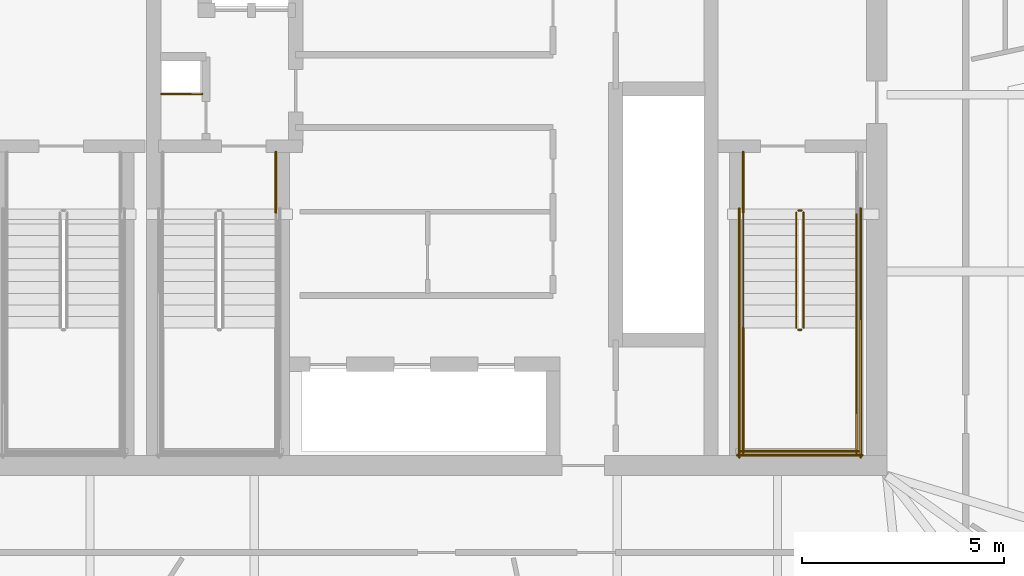
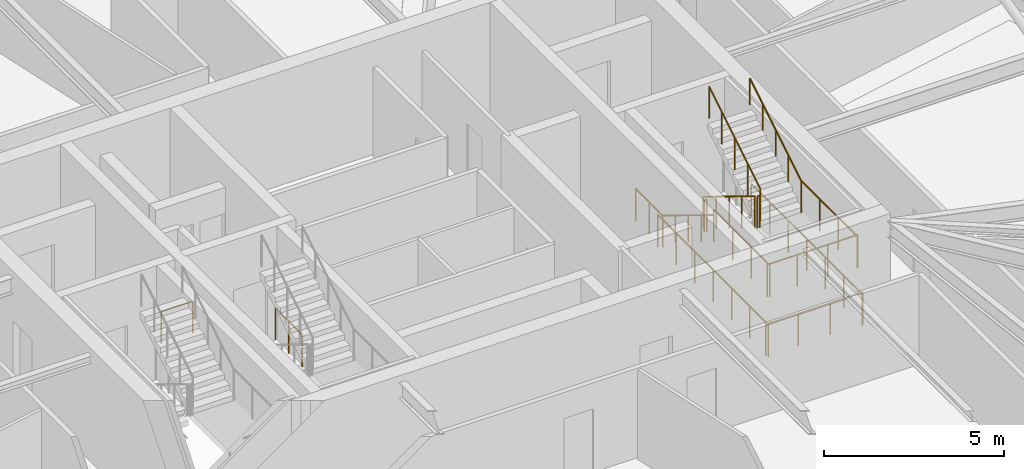
# One storey, part 18 of 19: 15 railings.
"""IFC4 building model written with IfcOpenShell, lengths in metres."""

import ifcopenshell
import ifcopenshell.guid

model = None  # the IFC model being written
_history = None  # IfcOwnerHistory: only IFC2X3 demands one
_inside = {}  # id of a spatial element -> (the spatial element, [elements in it])
_under = {}  # id of a project, library or spatial element -> (it, [spatial elements below it])
_declared = {}  # id of a project -> (the project, [libraries it declares])
_typed = {}  # id of a type object -> (the type object, [elements of that type])
_made_of = {}  # id of a material, layer set ... -> (it, [elements and type objects made of it])


def new_model(schema):
    """Start an empty IFC model of exactly this schema.

    Asked for "IFC4X3", IfcOpenShell would pick the latest addendum, in which some entities
    have other attributes; the version numbers below select the first issue.
    IFC2X3 requires an IfcOwnerHistory on every rooted entity: one is made here for all.
    """
    global model, _history
    if schema == "IFC4X3":
        model = ifcopenshell.file(schema_version=(4, 3, 0, 0))
    else:
        model = ifcopenshell.file(schema=schema)
    _inside.clear()
    _under.clear()
    _declared.clear()
    _typed.clear()
    _made_of.clear()
    _history = None
    if model.schema == "IFC2X3":
        org = make("IfcOrganization", Name="unknown")
        user = make(
            "IfcPersonAndOrganization",
            ThePerson=make("IfcPerson", FamilyName="unknown"),
            TheOrganization=org,
        )
        app = make(
            "IfcApplication",
            ApplicationDeveloper=org,
            Version="unknown",
            ApplicationFullName="unknown",
            ApplicationIdentifier="unknown",
        )
        _history = make(
            "IfcOwnerHistory",
            OwningUser=user,
            OwningApplication=app,
            ChangeAction="ADDED",
            CreationDate=0,
        )
    return model


def make(cls, **values):
    """One entity of the class cls with the attributes given. An attribute that is None is left unset."""
    return model.create_entity(
        cls, **{name: value for name, value in values.items() if value is not None}
    )


def rooted(cls, **values):
    """An entity with a GlobalId (a new one), such as an element, a storey or a relation."""
    return make(cls, GlobalId=ifcopenshell.guid.new(), OwnerHistory=_history, **values)


def si_unit(unit_type, name, prefix=None):
    """IfcSIUnit, for example si_unit("LENGTHUNIT", "METRE", prefix="MILLI")."""
    return make("IfcSIUnit", UnitType=unit_type, Prefix=prefix, Name=name)


def assignment(units):
    """IfcUnitAssignment: the units of a project."""
    return None if units is None else make("IfcUnitAssignment", Units=units)


def point(xyz):
    """IfcCartesianPoint."""
    return None if xyz is None else make("IfcCartesianPoint", Coordinates=xyz)


def direction(xyz):
    """IfcDirection."""
    return None if xyz is None else make("IfcDirection", DirectionRatios=xyz)


def frame(location, z_axis=None, x_axis=None):
    """IfcAxis2Placement3D, a coordinate frame: its origin and axes. An axis left out is left unset."""
    return make(
        "IfcAxis2Placement3D",
        Location=point(location),
        Axis=direction(z_axis),
        RefDirection=direction(x_axis),
    )


def frame_2d(location, x_axis=None):
    """IfcAxis2Placement2D, a coordinate frame in the plane: its origin and x axis."""
    return make(
        "IfcAxis2Placement2D", Location=point(location), RefDirection=direction(x_axis)
    )


def origin():
    """The frame at (0, 0, 0) with its axes left unset."""
    return frame((0.0, 0.0, 0.0))


def origin_2d():
    """The frame at (0, 0) in the plane with its x axis left unset."""
    return frame_2d((0.0, 0.0))


def place(relative_to, where):
    """IfcLocalPlacement: puts the frame where relative to a parent placement (None: the world)."""
    return make(
        "IfcLocalPlacement", PlacementRelTo=relative_to, RelativePlacement=where
    )


def context(
    kind, dimensions, precision=None, world=None, true_north=None, identifier=None
):
    """IfcGeometricRepresentationContext, for example the 3D "Model" context."""
    return make(
        "IfcGeometricRepresentationContext",
        ContextIdentifier=identifier,
        ContextType=kind,
        CoordinateSpaceDimension=dimensions,
        Precision=precision,
        WorldCoordinateSystem=world,
        TrueNorth=true_north,
    )


def subcontext(parent, identifier, kind, view, scale=None):
    """IfcGeometricRepresentationSubContext, for example "Body" below "Model"."""
    return make(
        "IfcGeometricRepresentationSubContext",
        ContextIdentifier=identifier,
        ContextType=kind,
        ParentContext=parent,
        TargetScale=scale,
        TargetView=view,
    )


def project(units=None, contexts=None):
    """IfcProject with its units and contexts."""
    return rooted(
        "IfcProject",
        Name="project",
        RepresentationContexts=contexts,
        UnitsInContext=assignment(units),
    )


def spatial(cls, under=None, at=None, **own):
    """A site, building, storey or space (cls), placed at a placement, below another one or the project."""
    s = rooted(cls, ObjectPlacement=at, **own)
    if under is not None:
        _under.setdefault(under.id(), (under, []))[1].append(s)
    return s


def profile(cls, at=None, kind="AREA", **sizes):
    """A parametric profile (cls). Its sizes go by their IFC names, for example OverallWidth=200.0."""
    return make(cls, ProfileType=kind, Position=at, **sizes)


def circle(**sizes):
    """IfcCircleProfileDef."""
    return profile("IfcCircleProfileDef", **sizes)


def extrude(swept, where, along, depth):
    """IfcExtrudedAreaSolid: the profile swept, set in the frame where, extruded along a direction by depth."""
    return make(
        "IfcExtrudedAreaSolid",
        SweptArea=swept,
        Position=where,
        ExtrudedDirection=direction(along),
        Depth=depth,
    )


def shape(context_of_items, identifier, shape_type, items):
    """IfcShapeRepresentation: the items that make up one representation, for example the "Body"."""
    return make(
        "IfcShapeRepresentation",
        ContextOfItems=context_of_items,
        RepresentationIdentifier=identifier,
        RepresentationType=shape_type,
        Items=items,
    )


def material(Name=None, Category=None):
    """IfcMaterial."""
    return make("IfcMaterial", Name=Name, Category=Category)


def made_of(thing, what):
    """Note that an element or type object is made of a material, layer set ...; save() writes the relation."""
    if what is not None:
        _made_of.setdefault(what.id(), (what, []))[1].append(thing)
    return thing


def type_object(cls, material=None, **own):
    """A type object (cls), such as IfcWallType, which elements share."""
    return made_of(rooted(cls, **own), material)


def element(
    cls,
    number,
    at=None,
    inside=None,
    cuts=None,
    type_object=None,
    material=None,
    context=None,
    identifier="Body",
    shape_type=None,
    held_by="IfcProductDefinitionShape",
    body=None,
    shapes=None,
    **own,
):
    """One element of the class cls, such as IfcWall. Its Tag is "e" and its number.

    at: its placement. inside: the storey or other place that contains it. cuts: it is an
    opening in that element (IfcRelVoidsElement). A single representation is given by context,
    identifier, shape_type and body (its items); several are given by shapes. held_by: the class
    of the entity that holds the representations. save() writes the other relations.
    """
    e = rooted(cls, Tag="e%d" % number, ObjectPlacement=at, **own)
    if body is not None:
        shapes = [shape(context, identifier, shape_type, body)]
    if shapes is not None:
        e.Representation = make(held_by, Representations=shapes)
    if inside is not None:
        _inside.setdefault(inside.id(), (inside, []))[1].append(e)
    if cuts is not None:
        rooted(
            "IfcRelVoidsElement", RelatingBuildingElement=cuts, RelatedOpeningElement=e
        )
    if type_object is not None:
        _typed.setdefault(type_object.id(), (type_object, []))[1].append(e)
    return made_of(e, material)


def aggregate(whole, parts):
    """IfcRelAggregates: a whole, such as a stair, and the parts it consists of."""
    return rooted("IfcRelAggregates", RelatingObject=whole, RelatedObjects=parts)


def save(model, path):
    """Write the relations noted so far, then the file.

    IfcRelAggregates (storeys below a building ...), IfcRelContainedInSpatialStructure (elements
    in a storey), IfcRelDefinesByType, IfcRelAssociatesMaterial and IfcRelDeclares: one each for
    every whole, place, type object, material and project.
    """
    for whole, parts in _under.values():
        aggregate(whole, parts)
    for where, things in _inside.values():
        rooted(
            "IfcRelContainedInSpatialStructure",
            RelatedElements=things,
            RelatingStructure=where,
        )
    for kind, things in _typed.values():
        rooted("IfcRelDefinesByType", RelatedObjects=things, RelatingType=kind)
    for what, things in _made_of.values():
        rooted("IfcRelAssociatesMaterial", RelatedObjects=things, RelatingMaterial=what)
    for by, libraries in _declared.values():
        rooted("IfcRelDeclares", RelatingContext=by, RelatedDefinitions=libraries)
    model.write(path)


model = new_model("IFC4")

# Units and contexts
model_context = context("Model", 3, precision=1e-05, world=origin(), true_north=direction((0.0, 1.0)))
body_context = subcontext(model_context, "Body", "Model", "MODEL_VIEW")
ifc_project = project(units=[si_unit("LENGTHUNIT", "METRE"), si_unit("AREAUNIT", "SQUARE_METRE"), si_unit("VOLUMEUNIT", "CUBIC_METRE"), si_unit("PLANEANGLEUNIT", "RADIAN"), si_unit("MASSUNIT", "GRAM", prefix="KILO")], contexts=[model_context])

# Site, building, storey
site_placement = place(None, origin())
site = spatial("IfcSite", under=ifc_project, at=site_placement, CompositionType="ELEMENT")
building_placement = place(site_placement, origin())
building = spatial("IfcBuilding", under=site, at=building_placement, Name="Bramvorn Convention Spire", CompositionType="ELEMENT")
storey_placement = place(building_placement, frame((0.0, 0.0, 217.39990234375)))
storey = spatial("IfcBuildingStorey", under=building, at=storey_placement, Name="L55", CompositionType="ELEMENT", Elevation=217.39990234375)

# Railings
ifc_material_1 = material(Name="Painted Steel Balustrade & Guardrail", Category="steel")
railing_type_1 = type_object("IfcRailingType", Name="RL-STAIR-GUARD-1100", PredefinedType="GUARDRAIL", material=ifc_material_1)
railing_1_placement = place(storey_placement, frame((47.010009765625, 25.050048828125, 0.175048828125)))
element("IfcRailing", 1, at=railing_1_placement, inside=storey, type_object=railing_type_1, Name="L55 ST2 stair guard 1", PredefinedType="GUARDRAIL", context=body_context, shape_type="SweptSolid", body=[
    extrude(circle(Radius=0.02392578125, at=origin_2d()), frame((0.0, 0.0, 1.076171875), z_axis=(0.0, -0.852179220489, 0.52325001306), x_axis=(1.0, 0.0, 0.0)), (0.0, 0.0, 1.0), 3.344482421875),
    extrude(circle(Radius=0.02099609375, at=origin_2d()), origin(), (0.0, 0.0, 1.0), 1.052001953125),
    extrude(circle(Radius=0.02099609375, at=origin_2d()), frame((0.0, -0.71240234375, 0.4375)), (0.0, 0.0, 1.0), 1.052001953125),
    extrude(circle(Radius=0.02099609375, at=origin_2d()), frame((0.0, -1.425048828125, 0.875)), (0.0, 0.0, 1.0), 1.052001953125),
    extrude(circle(Radius=0.02099609375, at=origin_2d()), frame((0.0, -2.1376953125, 1.3125)), (0.0, 0.0, 1.0), 1.052001953125),
    extrude(circle(Radius=0.02099609375, at=origin_2d()), frame((0.0, -2.85009765625, 1.75)), (0.0, 0.0, 1.0), 1.052001953125),
])
railing_2_placement = place(storey_placement, frame((47.06005859375, 22.14990234375, 1.925048828125)))
element("IfcRailing", 2, at=railing_2_placement, inside=storey, type_object=railing_type_1, Name="L55 ST2 stair guard 2", PredefinedType="GUARDRAIL", context=body_context, shape_type="SweptSolid", body=[
    extrude(circle(Radius=0.02392578125, at=origin_2d()), frame((0.0, 0.0, 1.076171875), z_axis=(1.0, 0.0, 0.0), x_axis=(0.0, 1.0, 0.0)), (0.0, 0.0, 1.0), 0.079833984375),
    extrude(circle(Radius=0.02099609375, at=origin_2d()), origin(), (0.0, 0.0, 1.0), 1.052001953125),
    extrude(circle(Radius=0.02099609375, at=origin_2d()), frame((0.079833984375, 0.0, 0.0)), (0.0, 0.0, 1.0), 1.052001953125),
])
for number, where, name in (
    (3, (45.699951171875, 22.199951171875, 1.925048828125), "L55 ST2 stair guard 3"),
    (4, (48.5, 22.199951171875, 1.925048828125), "L55 ST2 stair guard 4"),
):
    element("IfcRailing", number, at=place(storey_placement, frame(where)), inside=storey, type_object=railing_type_1, Name=name, PredefinedType="GUARDRAIL", context=body_context, shape_type="SweptSolid", body=[
        extrude(circle(Radius=0.02392578125, at=origin_2d()), frame((0.0, 0.0, 1.076171875), z_axis=(0.0, -1.0, 0.0), x_axis=(1.0, 0.0, 0.0)), (0.0, 0.0, 1.0), 3.099853515625),
        extrude(circle(Radius=0.02099609375, at=origin_2d()), origin(), (0.0, 0.0, 1.0), 1.052001953125),
        extrude(circle(Radius=0.02099609375, at=origin_2d()), frame((0.0, -1.033203125, 0.0)), (0.0, 0.0, 1.0), 1.052001953125),
        extrude(circle(Radius=0.02099609375, at=origin_2d()), frame((0.0, -2.066650390625, 0.0)), (0.0, 0.0, 1.0), 1.052001953125),
        extrude(circle(Radius=0.02099609375, at=origin_2d()), frame((0.0, -3.099853515625, 0.0)), (0.0, 0.0, 1.0), 1.052001953125),
    ])
railing_3_placement = place(storey_placement, frame((45.64990234375, 19.14990234375, 1.925048828125)))
element("IfcRailing", 5, at=railing_3_placement, inside=storey, type_object=railing_type_1, Name="L55 ST2 stair guard 5", PredefinedType="GUARDRAIL", context=body_context, shape_type="SweptSolid", body=[
    extrude(circle(Radius=0.02392578125, at=origin_2d()), frame((0.0, 0.0, 1.076171875), z_axis=(1.0, 0.0, 0.0), x_axis=(0.0, 1.0, 0.0)), (0.0, 0.0, 1.0), 2.900146484375),
    extrude(circle(Radius=0.02099609375, at=origin_2d()), origin(), (0.0, 0.0, 1.0), 1.052001953125),
    extrude(circle(Radius=0.02099609375, at=origin_2d()), frame((0.966796875, 0.0, 0.0)), (0.0, 0.0, 1.0), 1.052001953125),
    extrude(circle(Radius=0.02099609375, at=origin_2d()), frame((1.933349609375, 0.0, 0.0)), (0.0, 0.0, 1.0), 1.052001953125),
    extrude(circle(Radius=0.02099609375, at=origin_2d()), frame((2.900146484375, 0.0, 0.0)), (0.0, 0.0, 1.0), 1.052001953125),
])
railing_4_placement = place(storey_placement, frame((47.18994140625, 22.199951171875, 2.10009765625)))
element("IfcRailing", 6, at=railing_4_placement, inside=storey, type_object=railing_type_1, Name="L55 ST2 stair guard 6", PredefinedType="GUARDRAIL", context=body_context, shape_type="SweptSolid", body=[
    extrude(circle(Radius=0.02392578125, at=origin_2d()), frame((0.0, 0.0, 1.076171875), z_axis=(0.0, 0.852179220489, 0.52325001306), x_axis=(-1.0, 0.0, 0.0)), (0.0, 0.0, 1.0), 3.344482421875),
    extrude(circle(Radius=0.02099609375, at=origin_2d()), origin(), (0.0, 0.0, 1.0), 1.052001953125),
    extrude(circle(Radius=0.02099609375, at=origin_2d()), frame((0.0, 0.71240234375, 0.4375)), (0.0, 0.0, 1.0), 1.052001953125),
    extrude(circle(Radius=0.02099609375, at=origin_2d()), frame((0.0, 1.425048828125, 0.875)), (0.0, 0.0, 1.0), 1.052001953125),
    extrude(circle(Radius=0.02099609375, at=origin_2d()), frame((0.0, 2.1376953125, 1.3125)), (0.0, 0.0, 1.0), 1.052001953125),
    extrude(circle(Radius=0.02099609375, at=origin_2d()), frame((0.0, 2.85009765625, 1.75)), (0.0, 0.0, 1.0), 1.052001953125),
])
railing_5_placement = place(storey_placement, frame((47.06005859375, 25.10009765625, 0.0)))
element("IfcRailing", 7, at=railing_5_placement, inside=storey, type_object=railing_type_1, Name="L55 ST2 stair guard 7", PredefinedType="GUARDRAIL", context=body_context, shape_type="SweptSolid", body=[
    extrude(circle(Radius=0.02392578125, at=origin_2d()), frame((0.0, 0.0, 1.076171875), z_axis=(1.0, 0.0, 0.0), x_axis=(0.0, 1.0, 0.0)), (0.0, 0.0, 1.0), 0.079833984375),
    extrude(circle(Radius=0.02099609375, at=origin_2d()), origin(), (0.0, 0.0, 1.0), 1.052001953125),
    extrude(circle(Radius=0.02099609375, at=origin_2d()), frame((0.079833984375, 0.0, 0.0)), (0.0, 0.0, 1.0), 1.052001953125),
])
railing_6_placement = place(storey_placement, frame((45.699951171875, 26.550048828125, 0.0)))
element("IfcRailing", 8, at=railing_6_placement, inside=storey, type_object=railing_type_1, Name="L55 ST2 stair guard 8", PredefinedType="GUARDRAIL", context=body_context, shape_type="SweptSolid", body=[
    extrude(circle(Radius=0.02392578125, at=origin_2d()), frame((0.0, 0.0, 1.076171875), z_axis=(0.0, -1.0, 0.0), x_axis=(1.0, 0.0, 0.0)), (0.0, 0.0, 1.0), 1.5),
    extrude(circle(Radius=0.02099609375, at=origin_2d()), origin(), (0.0, 0.0, 1.0), 1.052001953125),
    extrude(circle(Radius=0.02099609375, at=origin_2d()), frame((0.0, -0.75, 0.0)), (0.0, 0.0, 1.0), 1.052001953125),
    extrude(circle(Radius=0.02099609375, at=origin_2d()), frame((0.0, -1.5, 0.0)), (0.0, 0.0, 1.0), 1.052001953125),
])
for number, where, name in (
    (9, (45.60009765625, 25.14990234375, 0.0), "L55 ST2 stair guard 10"),
    (10, (48.60009765625, 25.14990234375, 0.0), "L55 ST2 stair guard 11"),
):
    element("IfcRailing", number, at=place(storey_placement, frame(where)), inside=storey, type_object=railing_type_1, Name=name, PredefinedType="GUARDRAIL", context=body_context, shape_type="SweptSolid", body=[
        extrude(circle(Radius=0.02392578125, at=origin_2d()), frame((0.0, 0.0, 1.076171875), z_axis=(0.0, -1.0, 0.0), x_axis=(1.0, 0.0, 0.0)), (0.0, 0.0, 1.0), 6.14990234375),
        extrude(circle(Radius=0.02099609375, at=origin_2d()), origin(), (0.0, 0.0, 1.0), 1.052001953125),
        extrude(circle(Radius=0.02099609375, at=origin_2d()), frame((0.0, -1.02490234375, 0.0)), (0.0, 0.0, 1.0), 1.052001953125),
        extrude(circle(Radius=0.02099609375, at=origin_2d()), frame((0.0, -2.050048828125, 0.0)), (0.0, 0.0, 1.0), 1.052001953125),
        extrude(circle(Radius=0.02099609375, at=origin_2d()), frame((0.0, -3.074951171875, 0.0)), (0.0, 0.0, 1.0), 1.052001953125),
        extrude(circle(Radius=0.02099609375, at=origin_2d()), frame((0.0, -4.099853515625, 0.0)), (0.0, 0.0, 1.0), 1.052001953125),
        extrude(circle(Radius=0.02099609375, at=origin_2d()), frame((0.0, -5.125, 0.0)), (0.0, 0.0, 1.0), 1.052001953125),
        extrude(circle(Radius=0.02099609375, at=origin_2d()), frame((0.0, -6.14990234375, 0.0)), (0.0, 0.0, 1.0), 1.052001953125),
    ])
railing_7_placement = place(storey_placement, frame((45.550048828125, 19.050048828125, 0.0)))
element("IfcRailing", 11, at=railing_7_placement, inside=storey, type_object=railing_type_1, Name="L55 ST2 stair guard 12", PredefinedType="GUARDRAIL", context=body_context, shape_type="SweptSolid", body=[
    extrude(circle(Radius=0.02392578125, at=origin_2d()), frame((0.0, 0.0, 1.076171875), z_axis=(1.0, 0.0, 0.0), x_axis=(0.0, 1.0, 0.0)), (0.0, 0.0, 1.0), 3.099853515625),
    extrude(circle(Radius=0.02099609375, at=origin_2d()), origin(), (0.0, 0.0, 1.0), 1.052001953125),
    extrude(circle(Radius=0.02099609375, at=origin_2d()), frame((1.033203125, 0.0, 0.0)), (0.0, 0.0, 1.0), 1.052001953125),
    extrude(circle(Radius=0.02099609375, at=origin_2d()), frame((2.066650390625, 0.0, 0.0)), (0.0, 0.0, 1.0), 1.052001953125),
    extrude(circle(Radius=0.02099609375, at=origin_2d()), frame((3.099853515625, 0.0, 0.0)), (0.0, 0.0, 1.0), 1.052001953125),
])
railing_8_placement = place(storey_placement, frame((34.14990234375, 26.550048828125, 0.0)))
element("IfcRailing", 12, at=railing_8_placement, inside=storey, type_object=railing_type_1, Name="L55 ST3 stair guard 9", PredefinedType="GUARDRAIL", context=body_context, shape_type="SweptSolid", body=[
    extrude(circle(Radius=0.02392578125, at=origin_2d()), frame((0.0, 0.0, 1.076171875), z_axis=(0.0, -1.0, 0.0), x_axis=(1.0, 0.0, 0.0)), (0.0, 0.0, 1.0), 1.5),
    extrude(circle(Radius=0.02099609375, at=origin_2d()), origin(), (0.0, 0.0, 1.0), 1.052001953125),
    extrude(circle(Radius=0.02099609375, at=origin_2d()), frame((0.0, -0.75, 0.0)), (0.0, 0.0, 1.0), 1.052001953125),
    extrude(circle(Radius=0.02099609375, at=origin_2d()), frame((0.0, -1.5, 0.0)), (0.0, 0.0, 1.0), 1.052001953125),
])
railing_9_placement = place(storey_placement, frame((31.320068359375, 27.97998046875, 0.0)))
element("IfcRailing", 13, at=railing_9_placement, inside=storey, type_object=railing_type_1, Name="L55 Telecom riser shaft opening safety guardrail", PredefinedType="GUARDRAIL", context=body_context, shape_type="SweptSolid", body=[
    extrude(circle(Radius=0.02392578125, at=origin_2d()), frame((0.0, 0.0, 1.076171875), z_axis=(1.0, 0.0, 0.0), x_axis=(0.0, 1.0, 0.0)), (0.0, 0.0, 1.0), 1.0),
    extrude(circle(Radius=0.02099609375, at=origin_2d()), origin(), (0.0, 0.0, 1.0), 1.052001953125),
    extrude(circle(Radius=0.02099609375, at=origin_2d()), frame((1.0, 0.0, 0.0)), (0.0, 0.0, 1.0), 1.052001953125),
])
ifc_material_2 = material(Name="Brushed Bronze Tubular Handrail", Category="aluminium")
railing_type_2 = type_object("IfcRailingType", Name="RL-STAIR-HR-920", PredefinedType="HANDRAIL", material=ifc_material_2)
railing_10_placement = place(storey_placement, frame((45.699951171875, 25.050048828125, 0.175048828125)))
element("IfcRailing", 14, at=railing_10_placement, inside=storey, type_object=railing_type_2, Name="L55 ST2 stair handrail 1", PredefinedType="HANDRAIL", context=body_context, shape_type="SweptSolid", body=[
    extrude(circle(Radius=0.02392578125, at=origin_2d()), frame((0.0, 0.0, 0.89599609375), z_axis=(0.0, -0.852179220489, 0.52325001306), x_axis=(1.0, 0.0, 0.0)), (0.0, 0.0, 1.0), 3.344482421875),
    extrude(circle(Radius=0.02099609375, at=origin_2d()), origin(), (0.0, 0.0, 1.0), 0.871826171875),
    extrude(circle(Radius=0.02099609375, at=origin_2d()), frame((0.0, -0.71240234375, 0.4375)), (0.0, 0.0, 1.0), 0.871826171875),
    extrude(circle(Radius=0.02099609375, at=origin_2d()), frame((0.0, -1.425048828125, 0.875)), (0.0, 0.0, 1.0), 0.871826171875),
    extrude(circle(Radius=0.02099609375, at=origin_2d()), frame((0.0, -2.1376953125, 1.3125)), (0.0, 0.0, 1.0), 0.871826171875),
    extrude(circle(Radius=0.02099609375, at=origin_2d()), frame((0.0, -2.85009765625, 1.75)), (0.0, 0.0, 1.0), 0.871826171875),
])
railing_11_placement = place(storey_placement, frame((48.5, 22.199951171875, 2.10009765625)))
element("IfcRailing", 15, at=railing_11_placement, inside=storey, type_object=railing_type_2, Name="L55 ST2 stair handrail 2", PredefinedType="HANDRAIL", context=body_context, shape_type="SweptSolid", body=[
    extrude(circle(Radius=0.02392578125, at=origin_2d()), frame((0.0, 0.0, 0.89599609375), z_axis=(0.0, 0.852179220489, 0.52325001306), x_axis=(-1.0, 0.0, 0.0)), (0.0, 0.0, 1.0), 3.344482421875),
    extrude(circle(Radius=0.02099609375, at=origin_2d()), origin(), (0.0, 0.0, 1.0), 0.871826171875),
    extrude(circle(Radius=0.02099609375, at=origin_2d()), frame((0.0, 0.71240234375, 0.4375)), (0.0, 0.0, 1.0), 0.871826171875),
    extrude(circle(Radius=0.02099609375, at=origin_2d()), frame((0.0, 1.425048828125, 0.875)), (0.0, 0.0, 1.0), 0.871826171875),
    extrude(circle(Radius=0.02099609375, at=origin_2d()), frame((0.0, 2.1376953125, 1.3125)), (0.0, 0.0, 1.0), 0.871826171875),
    extrude(circle(Radius=0.02099609375, at=origin_2d()), frame((0.0, 2.85009765625, 1.75)), (0.0, 0.0, 1.0), 0.871826171875),
])

save(model, "model.ifc")
